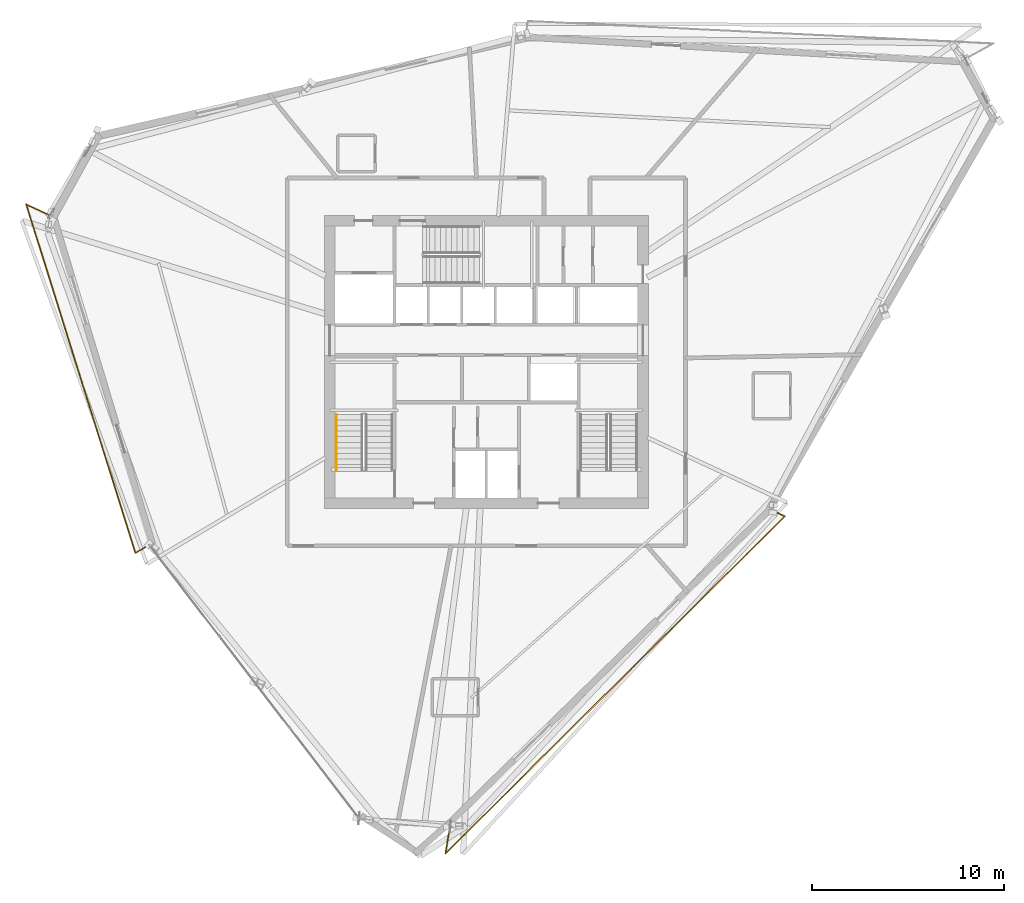
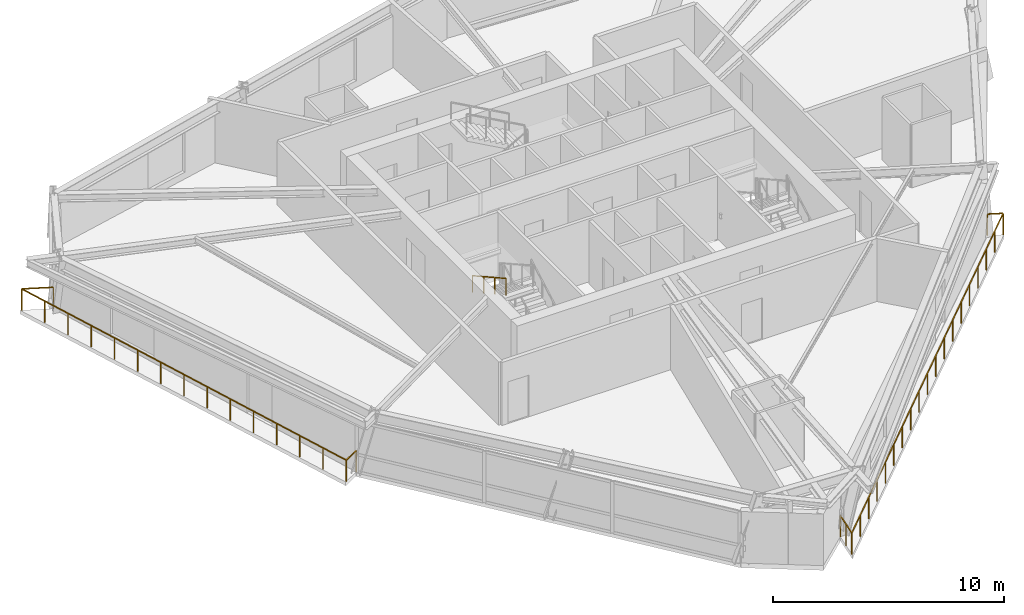
# One storey, part 13 of 15: 3 railings.
"""IFC4 building model written with IfcOpenShell, lengths in metres."""

from ifc_helpers import new_model, si_unit, direction, frame, origin, origin_2d, place, context, subcontext, project, spatial, rectangle, extrude, material, type_object, element, save


model = new_model("IFC4")

# Units and contexts
model_context = context("Model", 3, precision=1e-05, world=origin(), true_north=direction((0.0, 1.0)))
body_context = subcontext(model_context, "Body", "Model", "MODEL_VIEW")
ifc_project = project(units=[si_unit("LENGTHUNIT", "METRE"), si_unit("AREAUNIT", "SQUARE_METRE"), si_unit("VOLUMEUNIT", "CUBIC_METRE"), si_unit("PLANEANGLEUNIT", "RADIAN"), si_unit("MASSUNIT", "GRAM", prefix="KILO")], contexts=[model_context])

# Site, building, storey
site_placement = place(None, origin())
site = spatial("IfcSite", under=ifc_project, at=site_placement, CompositionType="ELEMENT")
building_placement = place(site_placement, origin())
building = spatial("IfcBuilding", under=site, at=building_placement, Name="Olszyna Solenne Hotel", CompositionType="ELEMENT")
storey_placement = place(building_placement, frame((0.0, 0.0, 157.25)))
storey = spatial("IfcBuildingStorey", under=building, at=storey_placement, Name="L41", CompositionType="ELEMENT", Elevation=157.25)

# Railings
ifc_material_1 = material(Name="Anodised bronze aluminium", Category="aluminium")
railing_type_1 = type_object("IfcRailingType", Name="GR-110", PredefinedType="BALUSTRADE", material=ifc_material_1)
railing_1_placement = place(storey_placement, frame((15.215087890625, 34.245849609375, 0.0)))
element("IfcRailing", 1, at=railing_1_placement, inside=storey, type_object=railing_type_1, Name="Loggia balcony balustrade guard GR-L41-LG2", PredefinedType="BALUSTRADE", context=body_context, shape_type="SweptSolid", body=[
    extrude(rectangle(XDim=0.048095703125, YDim=0.048095703125, at=origin_2d()), frame((0.0, 0.0, 1.1259765625), z_axis=(-0.906038390149, 0.423195505147, 0.0), x_axis=(-0.423195505147, -0.906038390149, 0.0)), (0.0, 0.0, 1.0), 1.37939453125),
    extrude(rectangle(XDim=0.048095703125, YDim=0.048095703125, at=origin_2d()), frame((-1.249755859375, 0.583740234375, 1.1259765625), z_axis=(0.298809686877, -0.954312721821, 0.0), x_axis=(0.954312721821, 0.298809686877, 0.0)), (0.0, 0.0, 1.0), 19.081298828125),
    extrude(rectangle(XDim=0.048095703125, YDim=0.048095703125, at=origin_2d()), frame((4.451904296875, -17.625732421875, 1.1259765625), z_axis=(0.876191534374, 0.481963064033, 0.0), x_axis=(-0.481963064033, 0.876191534374, 0.0)), (0.0, 0.0, 1.0), 0.845947265625),
    extrude(rectangle(XDim=0.0419921875, YDim=0.0419921875, at=origin_2d()), origin(), (0.0, 0.0, 1.0), 1.101806640625),
    extrude(rectangle(XDim=0.0419921875, YDim=0.0419921875, at=origin_2d()), frame((-1.249755859375, 0.583740234375, 0.0)), (0.0, 0.0, 1.0), 1.101806640625),
    extrude(rectangle(XDim=0.0419921875, YDim=0.0419921875, at=origin_2d()), frame((-0.842529296875, -0.717041015625, 0.0)), (0.0, 0.0, 1.0), 1.101806640625),
    extrude(rectangle(XDim=0.0419921875, YDim=0.0419921875, at=origin_2d()), frame((-0.435302734375, -2.017578125, 0.0)), (0.0, 0.0, 1.0), 1.101806640625),
    extrude(rectangle(XDim=0.0419921875, YDim=0.0419921875, at=origin_2d()), frame((-0.028076171875, -3.318359375, 0.0)), (0.0, 0.0, 1.0), 1.101806640625),
    extrude(rectangle(XDim=0.0419921875, YDim=0.0419921875, at=origin_2d()), frame((0.37939453125, -4.618896484375, 0.0)), (0.0, 0.0, 1.0), 1.101806640625),
    extrude(rectangle(XDim=0.0419921875, YDim=0.0419921875, at=origin_2d()), frame((0.78662109375, -5.919677734375, 0.0)), (0.0, 0.0, 1.0), 1.101806640625),
    extrude(rectangle(XDim=0.0419921875, YDim=0.0419921875, at=origin_2d()), frame((1.19384765625, -7.22021484375, 0.0)), (0.0, 0.0, 1.0), 1.101806640625),
    extrude(rectangle(XDim=0.0419921875, YDim=0.0419921875, at=origin_2d()), frame((1.60107421875, -8.52099609375, 0.0)), (0.0, 0.0, 1.0), 1.101806640625),
    extrude(rectangle(XDim=0.0419921875, YDim=0.0419921875, at=origin_2d()), frame((2.00830078125, -9.82177734375, 0.0)), (0.0, 0.0, 1.0), 1.101806640625),
    extrude(rectangle(XDim=0.0419921875, YDim=0.0419921875, at=origin_2d()), frame((2.41552734375, -11.122314453125, 0.0)), (0.0, 0.0, 1.0), 1.101806640625),
    extrude(rectangle(XDim=0.0419921875, YDim=0.0419921875, at=origin_2d()), frame((2.82275390625, -12.423095703125, 0.0)), (0.0, 0.0, 1.0), 1.101806640625),
    extrude(rectangle(XDim=0.0419921875, YDim=0.0419921875, at=origin_2d()), frame((3.230224609375, -13.7236328125, 0.0)), (0.0, 0.0, 1.0), 1.101806640625),
    extrude(rectangle(XDim=0.0419921875, YDim=0.0419921875, at=origin_2d()), frame((3.637451171875, -15.0244140625, 0.0)), (0.0, 0.0, 1.0), 1.101806640625),
    extrude(rectangle(XDim=0.0419921875, YDim=0.0419921875, at=origin_2d()), frame((4.044677734375, -16.324951171875, 0.0)), (0.0, 0.0, 1.0), 1.101806640625),
    extrude(rectangle(XDim=0.0419921875, YDim=0.0419921875, at=origin_2d()), frame((4.451904296875, -17.625732421875, 0.0)), (0.0, 0.0, 1.0), 1.101806640625),
    extrude(rectangle(XDim=0.0419921875, YDim=0.0419921875, at=origin_2d()), frame((5.193115234375, -17.218017578125, 0.0)), (0.0, 0.0, 1.0), 1.101806640625),
])
railing_2_placement = place(storey_placement, frame((36.092041015625, 2.324951171875, 0.0)))
element("IfcRailing", 2, at=railing_2_placement, inside=storey, type_object=railing_type_1, Name="Loggia balcony balustrade guard GR-L41-LG3", PredefinedType="BALUSTRADE", context=body_context, shape_type="SweptSolid", body=[
    extrude(rectangle(XDim=0.048095703125, YDim=0.048095703125, at=origin_2d()), frame((0.0, 0.0, 1.1259765625), z_axis=(-0.164008268118, -0.986458964169, 0.0), x_axis=(0.986458964169, -0.164008268118, 0.0)), (0.0, 0.0, 1.0), 1.418701171875),
    extrude(rectangle(XDim=0.048095703125, YDim=0.048095703125, at=origin_2d()), frame((-0.232666015625, -1.3994140625, 1.1259765625), z_axis=(0.709482016687, 0.704723540119, 0.0), x_axis=(-0.704723540119, 0.709482016687, 0.0)), (0.0, 0.0, 1.0), 24.986328125),
    extrude(rectangle(XDim=0.048095703125, YDim=0.048095703125, at=origin_2d()), frame((17.49462890625, 16.208984375, 1.1259765625), z_axis=(-0.906074562005, 0.423118054551, 0.0), x_axis=(-0.423118054551, -0.906074562005, 0.0)), (0.0, 0.0, 1.0), 0.689453125),
    extrude(rectangle(XDim=0.0419921875, YDim=0.0419921875, at=origin_2d()), origin(), (0.0, 0.0, 1.0), 1.101806640625),
    extrude(rectangle(XDim=0.0419921875, YDim=0.0419921875, at=origin_2d()), frame((-0.1162109375, -0.69970703125, 0.0)), (0.0, 0.0, 1.0), 1.101806640625),
    extrude(rectangle(XDim=0.0419921875, YDim=0.0419921875, at=origin_2d()), frame((-0.232666015625, -1.3994140625, 0.0)), (0.0, 0.0, 1.0), 1.101806640625),
    extrude(rectangle(XDim=0.0419921875, YDim=0.0419921875, at=origin_2d()), frame((0.752197265625, -0.421142578125, 0.0)), (0.0, 0.0, 1.0), 1.101806640625),
    extrude(rectangle(XDim=0.0419921875, YDim=0.0419921875, at=origin_2d()), frame((1.737060546875, 0.55712890625, 0.0)), (0.0, 0.0, 1.0), 1.101806640625),
    extrude(rectangle(XDim=0.0419921875, YDim=0.0419921875, at=origin_2d()), frame((2.721923828125, 1.535400390625, 0.0)), (0.0, 0.0, 1.0), 1.101806640625),
    extrude(rectangle(XDim=0.0419921875, YDim=0.0419921875, at=origin_2d()), frame((3.706787109375, 2.513671875, 0.0)), (0.0, 0.0, 1.0), 1.101806640625),
    extrude(rectangle(XDim=0.0419921875, YDim=0.0419921875, at=origin_2d()), frame((4.691650390625, 3.49169921875, 0.0)), (0.0, 0.0, 1.0), 1.101806640625),
    extrude(rectangle(XDim=0.0419921875, YDim=0.0419921875, at=origin_2d()), frame((5.676513671875, 4.469970703125, 0.0)), (0.0, 0.0, 1.0), 1.101806640625),
    extrude(rectangle(XDim=0.0419921875, YDim=0.0419921875, at=origin_2d()), frame((6.661376953125, 5.4482421875, 0.0)), (0.0, 0.0, 1.0), 1.101806640625),
    extrude(rectangle(XDim=0.0419921875, YDim=0.0419921875, at=origin_2d()), frame((7.646240234375, 6.426513671875, 0.0)), (0.0, 0.0, 1.0), 1.101806640625),
    extrude(rectangle(XDim=0.0419921875, YDim=0.0419921875, at=origin_2d()), frame((8.630859375, 7.40478515625, 0.0)), (0.0, 0.0, 1.0), 1.101806640625),
    extrude(rectangle(XDim=0.0419921875, YDim=0.0419921875, at=origin_2d()), frame((9.61572265625, 8.383056640625, 0.0)), (0.0, 0.0, 1.0), 1.101806640625),
    extrude(rectangle(XDim=0.0419921875, YDim=0.0419921875, at=origin_2d()), frame((10.6005859375, 9.361328125, 0.0)), (0.0, 0.0, 1.0), 1.101806640625),
    extrude(rectangle(XDim=0.0419921875, YDim=0.0419921875, at=origin_2d()), frame((11.58544921875, 10.339599609375, 0.0)), (0.0, 0.0, 1.0), 1.101806640625),
    extrude(rectangle(XDim=0.0419921875, YDim=0.0419921875, at=origin_2d()), frame((12.5703125, 11.31787109375, 0.0)), (0.0, 0.0, 1.0), 1.101806640625),
    extrude(rectangle(XDim=0.0419921875, YDim=0.0419921875, at=origin_2d()), frame((13.55517578125, 12.2958984375, 0.0)), (0.0, 0.0, 1.0), 1.101806640625),
    extrude(rectangle(XDim=0.0419921875, YDim=0.0419921875, at=origin_2d()), frame((14.5400390625, 13.274169921875, 0.0)), (0.0, 0.0, 1.0), 1.101806640625),
    extrude(rectangle(XDim=0.0419921875, YDim=0.0419921875, at=origin_2d()), frame((15.52490234375, 14.25244140625, 0.0)), (0.0, 0.0, 1.0), 1.101806640625),
    extrude(rectangle(XDim=0.0419921875, YDim=0.0419921875, at=origin_2d()), frame((16.509765625, 15.230712890625, 0.0)), (0.0, 0.0, 1.0), 1.101806640625),
    extrude(rectangle(XDim=0.0419921875, YDim=0.0419921875, at=origin_2d()), frame((17.49462890625, 16.208984375, 0.0)), (0.0, 0.0, 1.0), 1.101806640625),
    extrude(rectangle(XDim=0.0419921875, YDim=0.0419921875, at=origin_2d()), frame((16.869873046875, 16.500732421875, 0.0)), (0.0, 0.0, 1.0), 1.101806640625),
])
ifc_material_2 = material(Name="Steel S355J2", Category="steel")
railing_type_2 = type_object("IfcRailingType", Name="HR-090", PredefinedType="HANDRAIL", material=ifc_material_2)
railing_3_placement = place(storey_placement, frame((30.14990234375, 23.85009765625, 1.936279296875)))
element("IfcRailing", 3, at=railing_3_placement, inside=storey, type_object=railing_type_2, Name="L41 ST1 stair handrail 2", PredefinedType="HANDRAIL", context=body_context, shape_type="SweptSolid", body=[
    extrude(rectangle(XDim=0.048095703125, YDim=0.048095703125, at=origin_2d()), frame((0.0, 0.0, 0.8759765625), z_axis=(0.0, -0.873827439584, 0.48623616261), x_axis=(1.0, 0.0, 0.0)), (0.0, 0.0, 1.0), 3.31884765625),
    extrude(rectangle(XDim=0.0419921875, YDim=0.0419921875, at=origin_2d()), origin(), (0.0, 0.0, 1.0), 0.851806640625),
    extrude(rectangle(XDim=0.0419921875, YDim=0.0419921875, at=origin_2d()), frame((0.0, -0.966796875, 0.537841796875)), (0.0, 0.0, 1.0), 0.851806640625),
    extrude(rectangle(XDim=0.0419921875, YDim=0.0419921875, at=origin_2d()), frame((0.0, -1.933349609375, 1.075927734375)), (0.0, 0.0, 1.0), 0.851806640625),
    extrude(rectangle(XDim=0.0419921875, YDim=0.0419921875, at=origin_2d()), frame((0.0, -2.900146484375, 1.61376953125)), (0.0, 0.0, 1.0), 0.851806640625),
])

save(model, "model.ifc")
